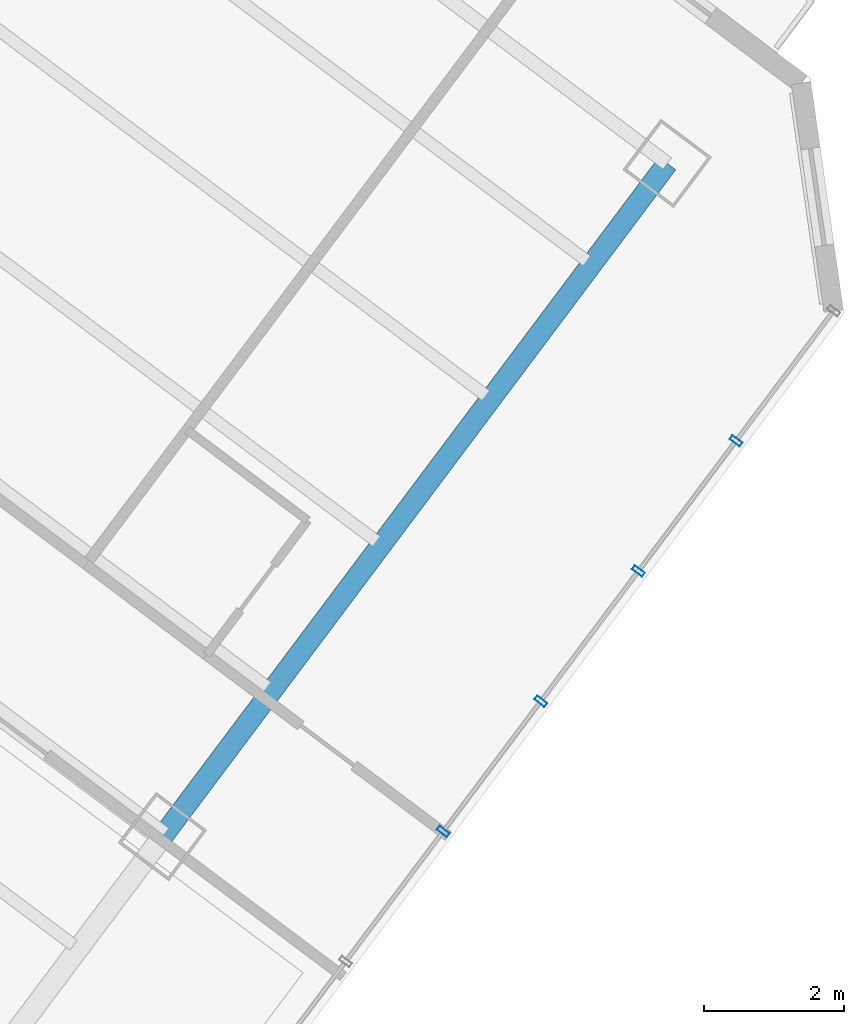
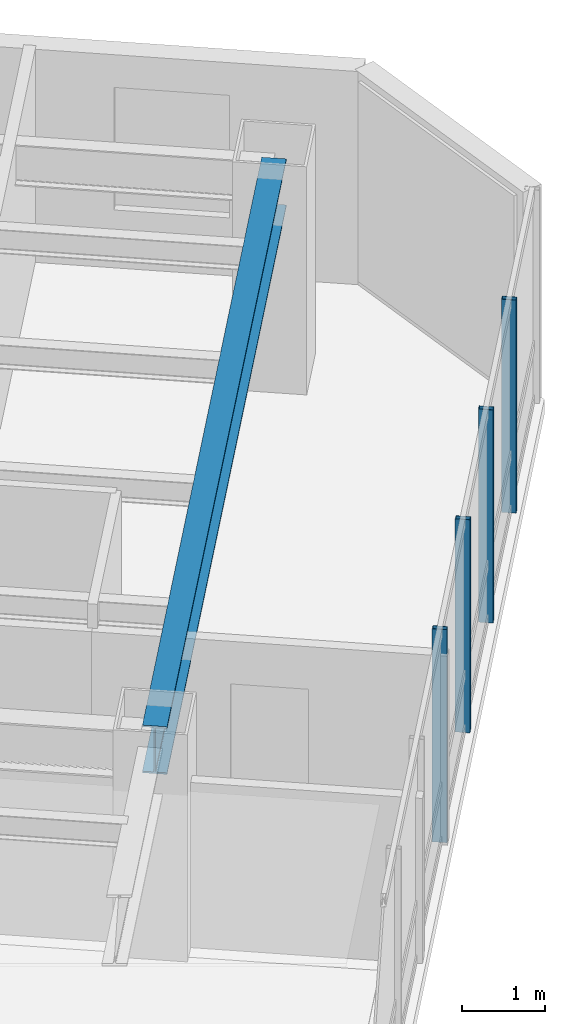
# One storey, part 10 of 31: 4 members, 1 beam, 1 element without a shape of its own.
"""IFC4 building model written with IfcOpenShell, lengths in metres."""

from ifc_helpers import new_model, si_unit, direction, frame, origin, origin_2d, place, context, subcontext, project, spatial, hollow_rectangle, i_section, extrude, material, layer, layer_set, material_profile, profile_set, type_object, element, aggregate, save


model = new_model("IFC4")

# Units and contexts
model_context = context("Model", 3, precision=1e-05, world=origin(), true_north=direction((0.0, 1.0)))
body_context = subcontext(model_context, "Body", "Model", "MODEL_VIEW")
ifc_project = project(units=[si_unit("LENGTHUNIT", "METRE"), si_unit("AREAUNIT", "SQUARE_METRE"), si_unit("VOLUMEUNIT", "CUBIC_METRE"), si_unit("PLANEANGLEUNIT", "RADIAN"), si_unit("MASSUNIT", "GRAM", prefix="KILO")], contexts=[model_context])

# Site, building, storey
site_placement = place(None, origin())
site = spatial("IfcSite", under=ifc_project, at=site_placement, CompositionType="ELEMENT")
building_placement = place(site_placement, origin())
building = spatial("IfcBuilding", under=site, at=building_placement, Name="Hatsunagi Terrace Concourse", CompositionType="ELEMENT")
storey_placement = place(building_placement, frame((0.0, 0.0, 77.949951171875)))
storey = spatial("IfcBuildingStorey", under=building, at=storey_placement, Name="L20", CompositionType="ELEMENT", Elevation=77.949951171875)

# Curtain wall, members
ifc_material_1 = material(Name="Anodised Aluminium Alloy 6063-T5", Category="aluminium")
ifc_layer = layer(ifc_material_1, 0.199951171875)
ifc_layer_set = layer_set([ifc_layer], Name="HotelFacade_CW02")
curtain_wall_type = type_object("IfcCurtainWallType", Name="HotelFacade_CW02", PredefinedType="NOTDEFINED", material=ifc_layer_set)
curtain_wall_placement = place(storey_placement, origin())
curtain_wall = element("IfcCurtainWall", 1, at=curtain_wall_placement, inside=storey, type_object=curtain_wall_type, Name="Unitised Curtain Wall CW-02 CW-L20-03", PredefinedType="NOTDEFINED")
ifc_material_2 = material(Name="Anodised Aluminium Alloy 6063-T5", Category="aluminium")
ifc_material_profile_1 = material_profile(ifc_material_2, hollow_rectangle(XDim=0.070068359375, YDim=0.179931640625, WallThickness=0.00390625, at=origin_2d()), Name="ALU-MUL-180x70x4")
ifc_profile_set_1 = profile_set([ifc_material_profile_1], Name="Anodised Aluminium Alloy 6063-T5")
member_type = type_object("IfcMemberType", Name="CurtainWallMullion_180x70", PredefinedType="MULLION", material=ifc_profile_set_1)
member_1_placement = place(storey_placement, frame((67.700927734375, 17.802001953125, 0.0), z_axis=(0.0, 0.0, 1.0), x_axis=(-0.599969314634, -0.800023013105, 0.0)))
member_1 = element("IfcMember", 2, at=member_1_placement, type_object=member_type, Name="Curtain Wall Mullion MUL-02", PredefinedType="MULLION", context=body_context, shape_type="SweptSolid", body=[
    extrude(hollow_rectangle(XDim=0.070068359375, YDim=0.179931640625, WallThickness=0.00390625, at=origin_2d()), origin(), (0.0, 0.0, 1.0), 3.130126953125),
])
member_2_placement = place(storey_placement, frame((66.30908203125, 15.945068359375, 0.0), z_axis=(0.0, 0.0, 1.0), x_axis=(-0.599969314634, -0.800023013105, 0.0)))
member_2 = element("IfcMember", 3, at=member_2_placement, type_object=member_type, Name="Curtain Wall Mullion MUL-02", PredefinedType="MULLION", context=body_context, shape_type="SweptSolid", body=[
    extrude(hollow_rectangle(XDim=0.070068359375, YDim=0.179931640625, WallThickness=0.00390625, at=origin_2d()), origin(), (0.0, 0.0, 1.0), 3.130126953125),
])
member_3_placement = place(storey_placement, frame((64.916015625, 14.089111328125, 0.0), z_axis=(0.0, 0.0, 1.0), x_axis=(-0.599969314634, -0.800023013105, 0.0)))
member_3 = element("IfcMember", 4, at=member_3_placement, type_object=member_type, Name="Curtain Wall Mullion MUL-02", PredefinedType="MULLION", context=body_context, shape_type="SweptSolid", body=[
    extrude(hollow_rectangle(XDim=0.070068359375, YDim=0.179931640625, WallThickness=0.00390625, at=origin_2d()), origin(), (0.0, 0.0, 1.0), 3.130126953125),
])
member_4_placement = place(storey_placement, frame((63.52392578125, 12.23193359375, 0.0), z_axis=(0.0, 0.0, 1.0), x_axis=(-0.599969314634, -0.800023013105, 0.0)))
member_4 = element("IfcMember", 5, at=member_4_placement, type_object=member_type, Name="Curtain Wall Mullion MUL-02", PredefinedType="MULLION", context=body_context, shape_type="SweptSolid", body=[
    extrude(hollow_rectangle(XDim=0.070068359375, YDim=0.179931640625, WallThickness=0.00390625, at=origin_2d()), origin(), (0.0, 0.0, 1.0), 3.130126953125),
])
aggregate(curtain_wall, [member_1, member_2, member_3, member_4])

# Beam
ifc_material_3 = material(Name="Steel SN490B", Category="steel")
ifc_material_profile_2 = material_profile(ifc_material_3, i_section(OverallWidth=0.300048828125, OverallDepth=0.699951171875, WebThickness=0.012939453125, FlangeThickness=0.02392578125, FilletRadius=0.02197265625, at=origin_2d()), Name="H-700x300x13x24")
ifc_profile_set_2 = profile_set([ifc_material_profile_2], Name="Steel SN490B")
beam_type = type_object("IfcBeamType", Name="HotelFloorGirder_H_700x300", PredefinedType="BEAM", material=ifc_profile_set_2)
beam_placement = place(storey_placement, frame((59.52001953125, 12.159912109375, 2.780029296875), z_axis=(0.59999348959, 0.800004882766, 0.0), x_axis=(-0.800004882766, 0.59999348959, 0.0)))
element("IfcBeam", 6, at=beam_placement, inside=storey, type_object=beam_type, Name="Beam G-04 BM-L20-SET-3B", PredefinedType="BEAM", context=body_context, shape_type="SweptSolid", body=[
    extrude(i_section(OverallWidth=0.300048828125, OverallDepth=0.699951171875, WebThickness=0.012939453125, FlangeThickness=0.02392578125, FilletRadius=0.02197265625, at=origin_2d()), origin(), (0.0, 0.0, 1.0), 12.0),
])

save(model, "model.ifc")
